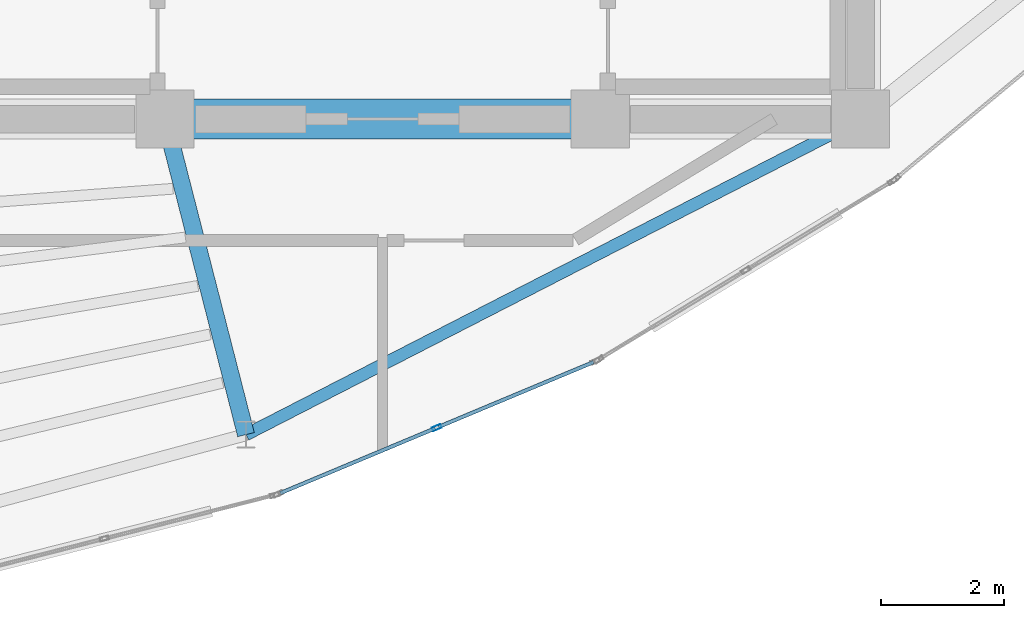
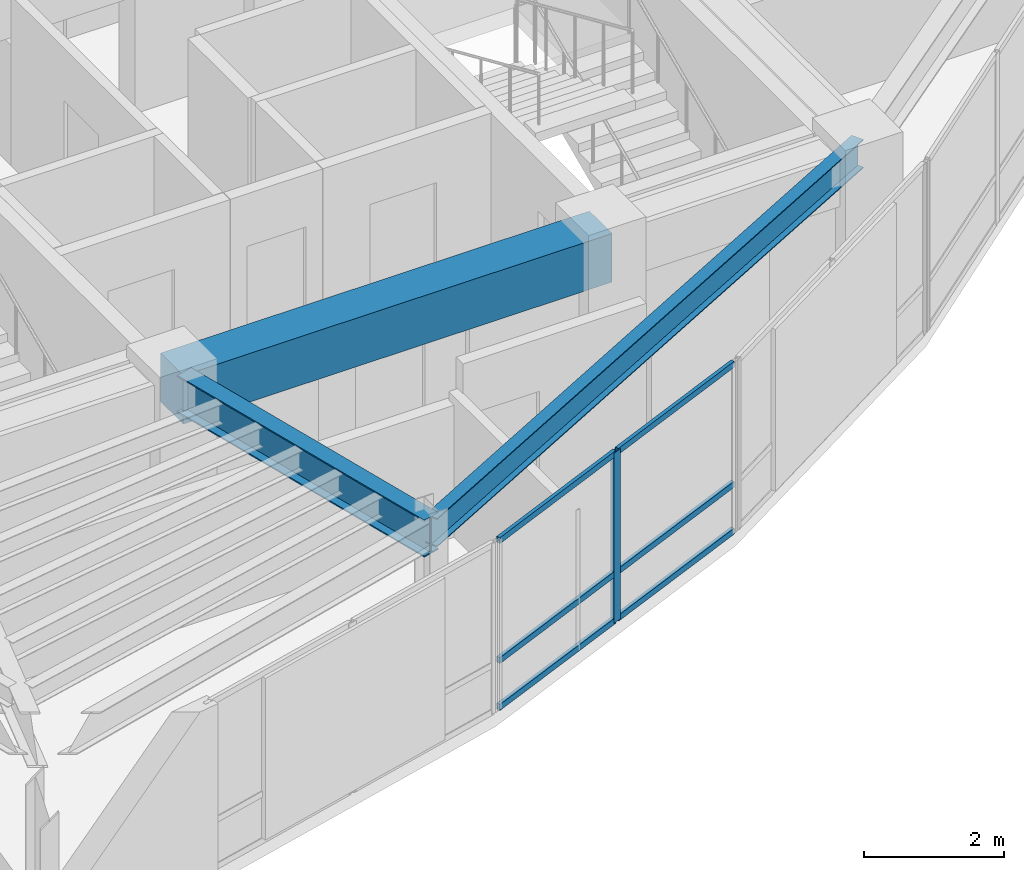
# One storey, part 3 of 14: 7 members, 3 beams, 1 element without a shape of its own.
"""IFC4 building model written with IfcOpenShell, lengths in metres."""

from ifc_helpers import new_model, si_unit, direction, frame, origin, origin_2d, place, context, subcontext, project, spatial, rectangle, hollow_rectangle, i_section, extrude, material, layer, layer_set, material_profile, profile_set, type_object, element, aggregate, save


model = new_model("IFC4")

# Units and contexts
model_context = context("Model", 3, precision=1e-05, world=origin(), true_north=direction((0.0, 1.0)))
body_context = subcontext(model_context, "Body", "Model", "MODEL_VIEW")
ifc_project = project(units=[si_unit("LENGTHUNIT", "METRE"), si_unit("AREAUNIT", "SQUARE_METRE"), si_unit("VOLUMEUNIT", "CUBIC_METRE"), si_unit("PLANEANGLEUNIT", "RADIAN"), si_unit("MASSUNIT", "GRAM", prefix="KILO")], contexts=[model_context])

# Site, building, storey
site_placement = place(None, origin())
site = spatial("IfcSite", under=ifc_project, at=site_placement, CompositionType="ELEMENT")
building_placement = place(site_placement, origin())
building = spatial("IfcBuilding", under=site, at=building_placement, Name="Menara Vayukalpa", CompositionType="ELEMENT")
storey_placement = place(building_placement, frame((0.0, 0.0, 299.219970703125)))
storey = spatial("IfcBuildingStorey", under=building, at=storey_placement, Name="L76", CompositionType="ELEMENT", Elevation=299.219970703125)

# Beams
ifc_material_1 = material(Name="Concrete C60/75", Category="concrete")
ifc_material_profile_1 = material_profile(ifc_material_1, rectangle(XDim=0.64990234375, YDim=0.85009765625, at=origin_2d()), Name="RC 650x850")
ifc_profile_set_1 = profile_set([ifc_material_profile_1], Name="Concrete C60/75")
beam_type_1 = type_object("IfcBeamType", Name="BM-CB1", PredefinedType="BEAM", material=ifc_profile_set_1)
beam_1_placement = place(storey_placement, frame((22.050048828125, 17.199951171875, 2.554931640625), z_axis=(1.0, 0.0, 0.0), x_axis=(0.0, 1.0, 0.0)))
element("IfcBeam", 1, at=beam_1_placement, inside=storey, type_object=beam_type_1, Name="L76 Core Tie Beam CBR2", PredefinedType="BEAM", context=body_context, shape_type="SweptSolid", body=[
    extrude(rectangle(XDim=0.64990234375, YDim=0.85009765625, at=origin_2d()), origin(), (0.0, 0.0, 1.0), 7.099853515625),
])
ifc_material_2 = material(Name="Steel S355", Category="steel")
ifc_material_profile_2 = material_profile(ifc_material_2, i_section(OverallWidth=0.280029296875, OverallDepth=0.64990234375, WebThickness=0.012939453125, FlangeThickness=0.02197265625, at=origin_2d()), Name="WF 650x280x13x22")
ifc_profile_set_2 = profile_set([ifc_material_profile_2], Name="Steel S355")
beam_type_2 = type_object("IfcBeamType", Name="BM-PG6", PredefinedType="BEAM", material=ifc_profile_set_2)
beam_2_placement = place(storey_placement, frame((22.112060546875, 16.957763671875, 2.655029296875), z_axis=(0.248427525231, -0.968650486351, 0.0), x_axis=(0.968650486351, 0.248427525231, 0.0)))
element("IfcBeam", 2, at=beam_2_placement, inside=storey, type_object=beam_type_2, Name="L76 Primary Radial Girder RG08", PredefinedType="BEAM", context=body_context, shape_type="SweptSolid", body=[
    extrude(i_section(OverallWidth=0.280029296875, OverallDepth=0.64990234375, WebThickness=0.012939453125, FlangeThickness=0.02197265625, at=origin_2d()), origin(), (0.0, 0.0, 1.0), 5.066162109375),
])
ifc_material_3 = material(Name="Steel S355", Category="steel")
ifc_material_profile_3 = material_profile(ifc_material_3, i_section(OverallWidth=0.199951171875, OverallDepth=0.5, WebThickness=0.010009765625, FlangeThickness=0.01611328125, at=origin_2d()), Name="WF 500x200x10x16")
ifc_profile_set_3 = profile_set([ifc_material_profile_3], Name="Steel S355")
beam_type_3 = type_object("IfcBeamType", Name="BM-SP3", PredefinedType="SPANDREL", material=ifc_profile_set_3)
beam_3_placement = place(storey_placement, frame((23.37060546875, 12.050537109375, 2.72998046875), z_axis=(0.889594604964, 0.456750959297, 0.0), x_axis=(-0.456750959297, 0.889594604964, 0.0)))
element("IfcBeam", 3, at=beam_3_placement, inside=storey, type_object=beam_type_3, Name="L76 Perimeter Spandrel Beam SP08", PredefinedType="SPANDREL", context=body_context, shape_type="SweptSolid", body=[
    extrude(i_section(OverallWidth=0.199951171875, OverallDepth=0.5, WebThickness=0.010009765625, FlangeThickness=0.01611328125, at=origin_2d()), origin(), (0.0, 0.0, 1.0), 11.27392578125),
])

# Curtain wall, members
ifc_material_4 = material(Name="Anodised Terracotta Aluminium Alloy 6063-T6", Category="masonry")
ifc_layer = layer(ifc_material_4, 0.14990234375)
ifc_layer_set = layer_set([ifc_layer], Name="Anodised Terracotta Aluminium Alloy 6063-T6")
curtain_wall_type = type_object("IfcCurtainWallType", Name="CW-CW7", PredefinedType="USERDEFINED", material=ifc_layer_set)
curtain_wall_placement = place(storey_placement, origin())
curtain_wall = element("IfcCurtainWall", 4, at=curtain_wall_placement, inside=storey, type_object=curtain_wall_type, Name="L76 Crown Drum Screened Curtain Wall CW7 16", ObjectType="UNITISED", PredefinedType="USERDEFINED")
ifc_material_5 = material(Name="Anodised Terracotta Aluminium Alloy 6063-T6", Category="masonry")
ifc_material_profile_4 = material_profile(ifc_material_5, hollow_rectangle(XDim=0.06494140625, YDim=0.14990234375, WallThickness=0.00341796875, at=origin_2d()), Name="ALU 65x150x3.5")
ifc_profile_set_4 = profile_set([ifc_material_profile_4], Name="Anodised Terracotta Aluminium Alloy 6063-T6")
member_type_1 = type_object("IfcMemberType", Name="CWM-CW7", PredefinedType="MULLION", material=ifc_profile_set_4)
member_1_placement = place(storey_placement, frame((26.48583984375, 12.16455078125, 0.0), z_axis=(0.0, 0.0, 1.0), x_axis=(-0.385898361946, 0.922541302191, 0.0)))
member_1 = element("IfcMember", 5, at=member_1_placement, type_object=member_type_1, Name="CW7 mullion 2", PredefinedType="MULLION", context=body_context, shape_type="SweptSolid", body=[
    extrude(hollow_rectangle(XDim=0.06494140625, YDim=0.14990234375, WallThickness=0.00341796875, at=origin_2d()), origin(), (0.0, 0.0, 1.0), 2.97998046875),
])
ifc_material_6 = material(Name="Anodised Terracotta Aluminium Alloy 6063-T6", Category="masonry")
ifc_material_profile_5 = material_profile(ifc_material_6, hollow_rectangle(XDim=0.06005859375, YDim=0.10498046875, WallThickness=0.0029296875, at=origin_2d()), Name="ALU 60x105x3")
ifc_profile_set_5 = profile_set([ifc_material_profile_5], Name="Anodised Terracotta Aluminium Alloy 6063-T6")
member_type_2 = type_object("IfcMemberType", Name="CWT-CW7", PredefinedType="USERDEFINED", material=ifc_profile_set_5)
member_2_placement = place(storey_placement, frame((23.929931640625, 11.095458984375, 0.030029296875), z_axis=(0.922532551431, 0.385919281132, 0.0), x_axis=(-0.385919281132, 0.922532551431, 0.0)))
member_2 = element("IfcMember", 6, at=member_2_placement, type_object=member_type_2, Name="CW7 transom 1.1", ObjectType="TRANSOM", PredefinedType="USERDEFINED", context=body_context, shape_type="SweptSolid", body=[
    extrude(hollow_rectangle(XDim=0.06005859375, YDim=0.10498046875, WallThickness=0.0029296875, at=origin_2d()), origin(), (0.0, 0.0, 1.0), 2.738037109375),
])
member_3_placement = place(storey_placement, frame((23.929931640625, 11.095458984375, 0.85009765625), z_axis=(0.922532551431, 0.385919281132, 0.0), x_axis=(-0.385919281132, 0.922532551431, 0.0)))
member_3 = element("IfcMember", 7, at=member_3_placement, type_object=member_type_2, Name="CW7 transom 1.2", ObjectType="TRANSOM", PredefinedType="USERDEFINED", context=body_context, shape_type="SweptSolid", body=[
    extrude(hollow_rectangle(XDim=0.06005859375, YDim=0.10498046875, WallThickness=0.0029296875, at=origin_2d()), origin(), (0.0, 0.0, 1.0), 2.738037109375),
])
member_4_placement = place(storey_placement, frame((23.929931640625, 11.095458984375, 2.949951171875), z_axis=(0.922532551431, 0.385919281132, 0.0), x_axis=(-0.385919281132, 0.922532551431, 0.0)))
member_4 = element("IfcMember", 8, at=member_4_placement, type_object=member_type_2, Name="CW7 transom 1.3", ObjectType="TRANSOM", PredefinedType="USERDEFINED", context=body_context, shape_type="SweptSolid", body=[
    extrude(hollow_rectangle(XDim=0.06005859375, YDim=0.10498046875, WallThickness=0.0029296875, at=origin_2d()), origin(), (0.0, 0.0, 1.0), 2.738037109375),
])
member_5_placement = place(storey_placement, frame((26.515869140625, 12.17724609375, 0.030029296875), z_axis=(0.922532551431, 0.385919281132, 0.0), x_axis=(-0.385919281132, 0.922532551431, 0.0)))
member_5 = element("IfcMember", 9, at=member_5_placement, type_object=member_type_2, Name="CW7 transom 2.1", ObjectType="TRANSOM", PredefinedType="USERDEFINED", context=body_context, shape_type="SweptSolid", body=[
    extrude(hollow_rectangle(XDim=0.06005859375, YDim=0.10498046875, WallThickness=0.0029296875, at=origin_2d()), origin(), (0.0, 0.0, 1.0), 2.738037109375),
])
member_6_placement = place(storey_placement, frame((26.515869140625, 12.17724609375, 0.85009765625), z_axis=(0.922532551431, 0.385919281132, 0.0), x_axis=(-0.385919281132, 0.922532551431, 0.0)))
member_6 = element("IfcMember", 10, at=member_6_placement, type_object=member_type_2, Name="CW7 transom 2.2", ObjectType="TRANSOM", PredefinedType="USERDEFINED", context=body_context, shape_type="SweptSolid", body=[
    extrude(hollow_rectangle(XDim=0.06005859375, YDim=0.10498046875, WallThickness=0.0029296875, at=origin_2d()), origin(), (0.0, 0.0, 1.0), 2.738037109375),
])
member_7_placement = place(storey_placement, frame((26.515869140625, 12.17724609375, 2.949951171875), z_axis=(0.922532551431, 0.385919281132, 0.0), x_axis=(-0.385919281132, 0.922532551431, 0.0)))
member_7 = element("IfcMember", 11, at=member_7_placement, type_object=member_type_2, Name="CW7 transom 2.3", ObjectType="TRANSOM", PredefinedType="USERDEFINED", context=body_context, shape_type="SweptSolid", body=[
    extrude(hollow_rectangle(XDim=0.06005859375, YDim=0.10498046875, WallThickness=0.0029296875, at=origin_2d()), origin(), (0.0, 0.0, 1.0), 2.738037109375),
])
aggregate(curtain_wall, [member_1, member_2, member_3, member_4, member_5, member_6, member_7])

save(model, "model.ifc")
